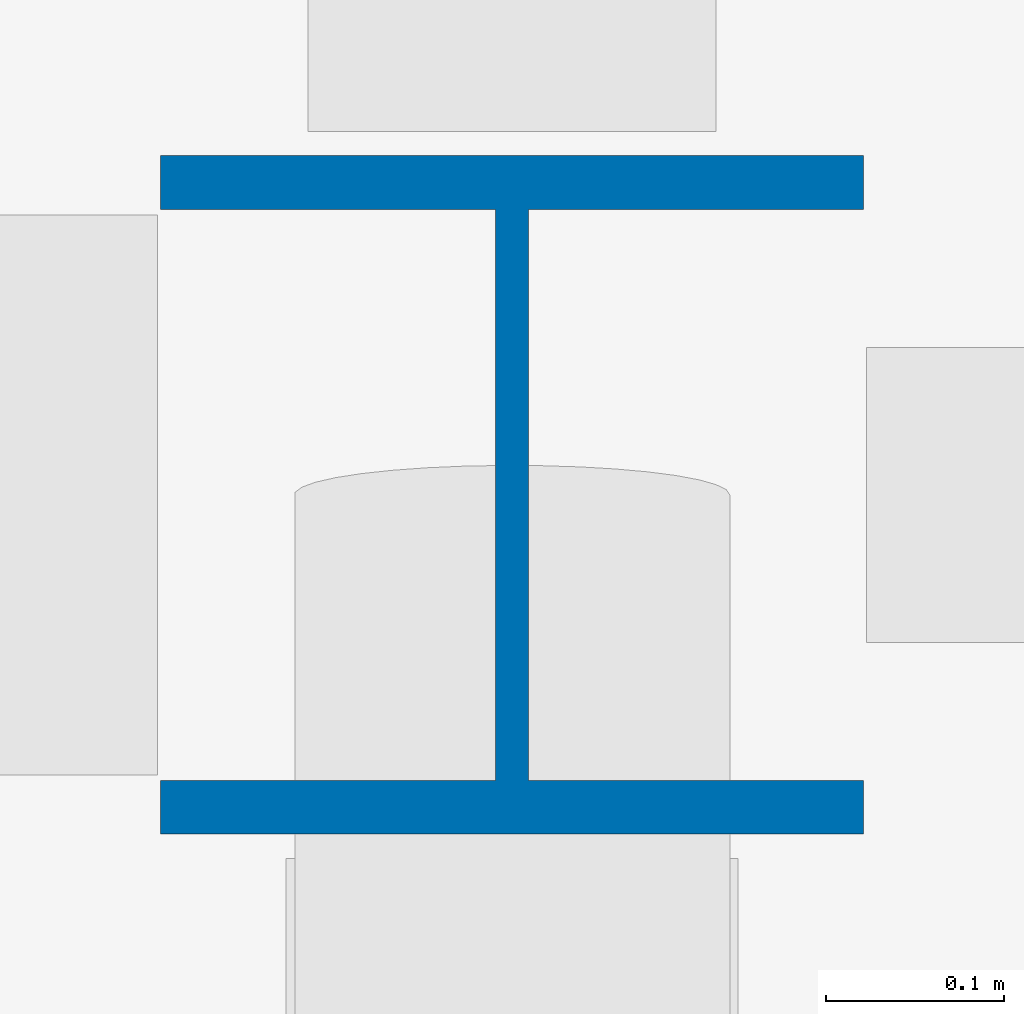
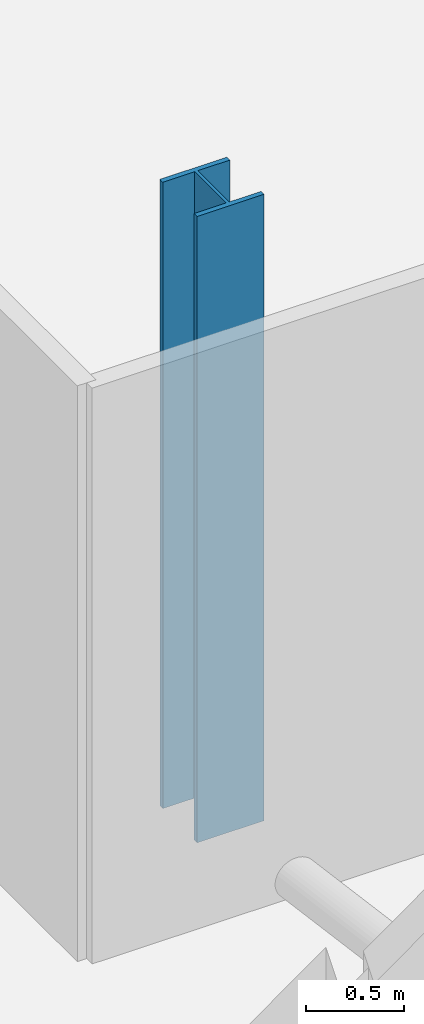
# One storey, part 15 of 105: 1 column.
"""IFC4 building model written with IfcOpenShell, lengths in metres."""

import ifcopenshell
import ifcopenshell.guid

model = None  # the IFC model being written
_history = None  # IfcOwnerHistory: only IFC2X3 demands one
_inside = {}  # id of a spatial element -> (the spatial element, [elements in it])
_under = {}  # id of a project, library or spatial element -> (it, [spatial elements below it])
_declared = {}  # id of a project -> (the project, [libraries it declares])
_typed = {}  # id of a type object -> (the type object, [elements of that type])
_made_of = {}  # id of a material, layer set ... -> (it, [elements and type objects made of it])


def new_model(schema):
    """Start an empty IFC model of exactly this schema.

    Asked for "IFC4X3", IfcOpenShell would pick the latest addendum, in which some entities
    have other attributes; the version numbers below select the first issue.
    IFC2X3 requires an IfcOwnerHistory on every rooted entity: one is made here for all.
    """
    global model, _history
    if schema == "IFC4X3":
        model = ifcopenshell.file(schema_version=(4, 3, 0, 0))
    else:
        model = ifcopenshell.file(schema=schema)
    _inside.clear()
    _under.clear()
    _declared.clear()
    _typed.clear()
    _made_of.clear()
    _history = None
    if model.schema == "IFC2X3":
        org = make("IfcOrganization", Name="unknown")
        user = make(
            "IfcPersonAndOrganization",
            ThePerson=make("IfcPerson", FamilyName="unknown"),
            TheOrganization=org,
        )
        app = make(
            "IfcApplication",
            ApplicationDeveloper=org,
            Version="unknown",
            ApplicationFullName="unknown",
            ApplicationIdentifier="unknown",
        )
        _history = make(
            "IfcOwnerHistory",
            OwningUser=user,
            OwningApplication=app,
            ChangeAction="ADDED",
            CreationDate=0,
        )
    return model


def make(cls, **values):
    """One entity of the class cls with the attributes given. An attribute that is None is left unset."""
    return model.create_entity(
        cls, **{name: value for name, value in values.items() if value is not None}
    )


def rooted(cls, **values):
    """An entity with a GlobalId (a new one), such as an element, a storey or a relation."""
    return make(cls, GlobalId=ifcopenshell.guid.new(), OwnerHistory=_history, **values)


def si_unit(unit_type, name, prefix=None):
    """IfcSIUnit, for example si_unit("LENGTHUNIT", "METRE", prefix="MILLI")."""
    return make("IfcSIUnit", UnitType=unit_type, Prefix=prefix, Name=name)


def assignment(units):
    """IfcUnitAssignment: the units of a project."""
    return None if units is None else make("IfcUnitAssignment", Units=units)


def point(xyz):
    """IfcCartesianPoint."""
    return None if xyz is None else make("IfcCartesianPoint", Coordinates=xyz)


def direction(xyz):
    """IfcDirection."""
    return None if xyz is None else make("IfcDirection", DirectionRatios=xyz)


def frame(location, z_axis=None, x_axis=None):
    """IfcAxis2Placement3D, a coordinate frame: its origin and axes. An axis left out is left unset."""
    return make(
        "IfcAxis2Placement3D",
        Location=point(location),
        Axis=direction(z_axis),
        RefDirection=direction(x_axis),
    )


def frame_2d(location, x_axis=None):
    """IfcAxis2Placement2D, a coordinate frame in the plane: its origin and x axis."""
    return make(
        "IfcAxis2Placement2D", Location=point(location), RefDirection=direction(x_axis)
    )


def origin():
    """The frame at (0, 0, 0) with its axes left unset."""
    return frame((0.0, 0.0, 0.0))


def origin_2d():
    """The frame at (0, 0) in the plane with its x axis left unset."""
    return frame_2d((0.0, 0.0))


def place(relative_to, where):
    """IfcLocalPlacement: puts the frame where relative to a parent placement (None: the world)."""
    return make(
        "IfcLocalPlacement", PlacementRelTo=relative_to, RelativePlacement=where
    )


def context(
    kind, dimensions, precision=None, world=None, true_north=None, identifier=None
):
    """IfcGeometricRepresentationContext, for example the 3D "Model" context."""
    return make(
        "IfcGeometricRepresentationContext",
        ContextIdentifier=identifier,
        ContextType=kind,
        CoordinateSpaceDimension=dimensions,
        Precision=precision,
        WorldCoordinateSystem=world,
        TrueNorth=true_north,
    )


def subcontext(parent, identifier, kind, view, scale=None):
    """IfcGeometricRepresentationSubContext, for example "Body" below "Model"."""
    return make(
        "IfcGeometricRepresentationSubContext",
        ContextIdentifier=identifier,
        ContextType=kind,
        ParentContext=parent,
        TargetScale=scale,
        TargetView=view,
    )


def project(units=None, contexts=None):
    """IfcProject with its units and contexts."""
    return rooted(
        "IfcProject",
        Name="project",
        RepresentationContexts=contexts,
        UnitsInContext=assignment(units),
    )


def spatial(cls, under=None, at=None, **own):
    """A site, building, storey or space (cls), placed at a placement, below another one or the project."""
    s = rooted(cls, ObjectPlacement=at, **own)
    if under is not None:
        _under.setdefault(under.id(), (under, []))[1].append(s)
    return s


def profile(cls, at=None, kind="AREA", **sizes):
    """A parametric profile (cls). Its sizes go by their IFC names, for example OverallWidth=200.0."""
    return make(cls, ProfileType=kind, Position=at, **sizes)


def i_section(**sizes):
    """IfcIShapeProfileDef."""
    return profile("IfcIShapeProfileDef", **sizes)


def extrude(swept, where, along, depth):
    """IfcExtrudedAreaSolid: the profile swept, set in the frame where, extruded along a direction by depth."""
    return make(
        "IfcExtrudedAreaSolid",
        SweptArea=swept,
        Position=where,
        ExtrudedDirection=direction(along),
        Depth=depth,
    )


def shape(context_of_items, identifier, shape_type, items):
    """IfcShapeRepresentation: the items that make up one representation, for example the "Body"."""
    return make(
        "IfcShapeRepresentation",
        ContextOfItems=context_of_items,
        RepresentationIdentifier=identifier,
        RepresentationType=shape_type,
        Items=items,
    )


def material(Name=None, Category=None):
    """IfcMaterial."""
    return make("IfcMaterial", Name=Name, Category=Category)


def material_profile(
    of_material, cross_section, Name=None, Category=None, Priority=None
):
    """IfcMaterialProfile: a cross section and its material."""
    return make(
        "IfcMaterialProfile",
        Name=Name,
        Material=of_material,
        Profile=cross_section,
        Priority=Priority,
        Category=Category,
    )


def profile_set(profiles, Name=None, composite=None):
    """IfcMaterialProfileSet."""
    return make(
        "IfcMaterialProfileSet",
        Name=Name,
        MaterialProfiles=profiles,
        CompositeProfile=composite,
    )


def made_of(thing, what):
    """Note that an element or type object is made of a material, layer set ...; save() writes the relation."""
    if what is not None:
        _made_of.setdefault(what.id(), (what, []))[1].append(thing)
    return thing


def type_object(cls, material=None, **own):
    """A type object (cls), such as IfcWallType, which elements share."""
    return made_of(rooted(cls, **own), material)


def element(
    cls,
    number,
    at=None,
    inside=None,
    cuts=None,
    type_object=None,
    material=None,
    context=None,
    identifier="Body",
    shape_type=None,
    held_by="IfcProductDefinitionShape",
    body=None,
    shapes=None,
    **own,
):
    """One element of the class cls, such as IfcWall. Its Tag is "e" and its number.

    at: its placement. inside: the storey or other place that contains it. cuts: it is an
    opening in that element (IfcRelVoidsElement). A single representation is given by context,
    identifier, shape_type and body (its items); several are given by shapes. held_by: the class
    of the entity that holds the representations. save() writes the other relations.
    """
    e = rooted(cls, Tag="e%d" % number, ObjectPlacement=at, **own)
    if body is not None:
        shapes = [shape(context, identifier, shape_type, body)]
    if shapes is not None:
        e.Representation = make(held_by, Representations=shapes)
    if inside is not None:
        _inside.setdefault(inside.id(), (inside, []))[1].append(e)
    if cuts is not None:
        rooted(
            "IfcRelVoidsElement", RelatingBuildingElement=cuts, RelatedOpeningElement=e
        )
    if type_object is not None:
        _typed.setdefault(type_object.id(), (type_object, []))[1].append(e)
    return made_of(e, material)


def aggregate(whole, parts):
    """IfcRelAggregates: a whole, such as a stair, and the parts it consists of."""
    return rooted("IfcRelAggregates", RelatingObject=whole, RelatedObjects=parts)


def save(model, path):
    """Write the relations noted so far, then the file.

    IfcRelAggregates (storeys below a building ...), IfcRelContainedInSpatialStructure (elements
    in a storey), IfcRelDefinesByType, IfcRelAssociatesMaterial and IfcRelDeclares: one each for
    every whole, place, type object, material and project.
    """
    for whole, parts in _under.values():
        aggregate(whole, parts)
    for where, things in _inside.values():
        rooted(
            "IfcRelContainedInSpatialStructure",
            RelatedElements=things,
            RelatingStructure=where,
        )
    for kind, things in _typed.values():
        rooted("IfcRelDefinesByType", RelatedObjects=things, RelatingType=kind)
    for what, things in _made_of.values():
        rooted("IfcRelAssociatesMaterial", RelatedObjects=things, RelatingMaterial=what)
    for by, libraries in _declared.values():
        rooted("IfcRelDeclares", RelatingContext=by, RelatedDefinitions=libraries)
    model.write(path)


model = new_model("IFC4")

# Units and contexts
model_context = context("Model", 3, precision=1e-05, world=origin(), true_north=direction((0.0, 1.0)))
body_context = subcontext(model_context, "Body", "Model", "MODEL_VIEW")
ifc_project = project(units=[si_unit("LENGTHUNIT", "METRE"), si_unit("AREAUNIT", "SQUARE_METRE"), si_unit("VOLUMEUNIT", "CUBIC_METRE"), si_unit("PLANEANGLEUNIT", "RADIAN"), si_unit("MASSUNIT", "GRAM", prefix="KILO")], contexts=[model_context])

# Site, building, storey
site_placement = place(None, origin())
site = spatial("IfcSite", under=ifc_project, at=site_placement, CompositionType="ELEMENT")
building_placement = place(site_placement, origin())
building = spatial("IfcBuilding", under=site, at=building_placement, Name="Kisiwana Market Hall", CompositionType="ELEMENT")
storey_placement = place(building_placement, frame((0.0, 0.0, 21.60009765625)))
storey = spatial("IfcBuildingStorey", under=building, at=storey_placement, Name="L04", CompositionType="ELEMENT", Elevation=21.60009765625)

# Column
ifc_material = material(Name="Steel S355", Category="steel")
ifc_material_profile = material_profile(ifc_material, i_section(OverallWidth=0.394775390625, OverallDepth=0.381103515625, WebThickness=0.018310546875, FlangeThickness=0.0302734375, at=origin_2d()), Name="UC 356x406x235")
ifc_profile_set = profile_set([ifc_material_profile], Name="Steel S355")
column_type = type_object("IfcColumnType", Name="COL-STL-UC235", PredefinedType="COLUMN", material=ifc_profile_set)
column_placement = place(storey_placement, frame((189.0, 84.0, 0.0), z_axis=(0.0, 0.0, 1.0), x_axis=(1.0, 0.0, 0.0)))
element("IfcColumn", 1, at=column_placement, inside=storey, type_object=column_type, Name="Column L/22 (L04) C-0868", PredefinedType="COLUMN", context=body_context, shape_type="SweptSolid", body=[
    extrude(i_section(OverallWidth=0.394775390625, OverallDepth=0.381103515625, WebThickness=0.018310546875, FlangeThickness=0.0302734375, at=origin_2d()), origin(), (0.0, 0.0, 1.0), 3.89990234375),
])

save(model, "model.ifc")
